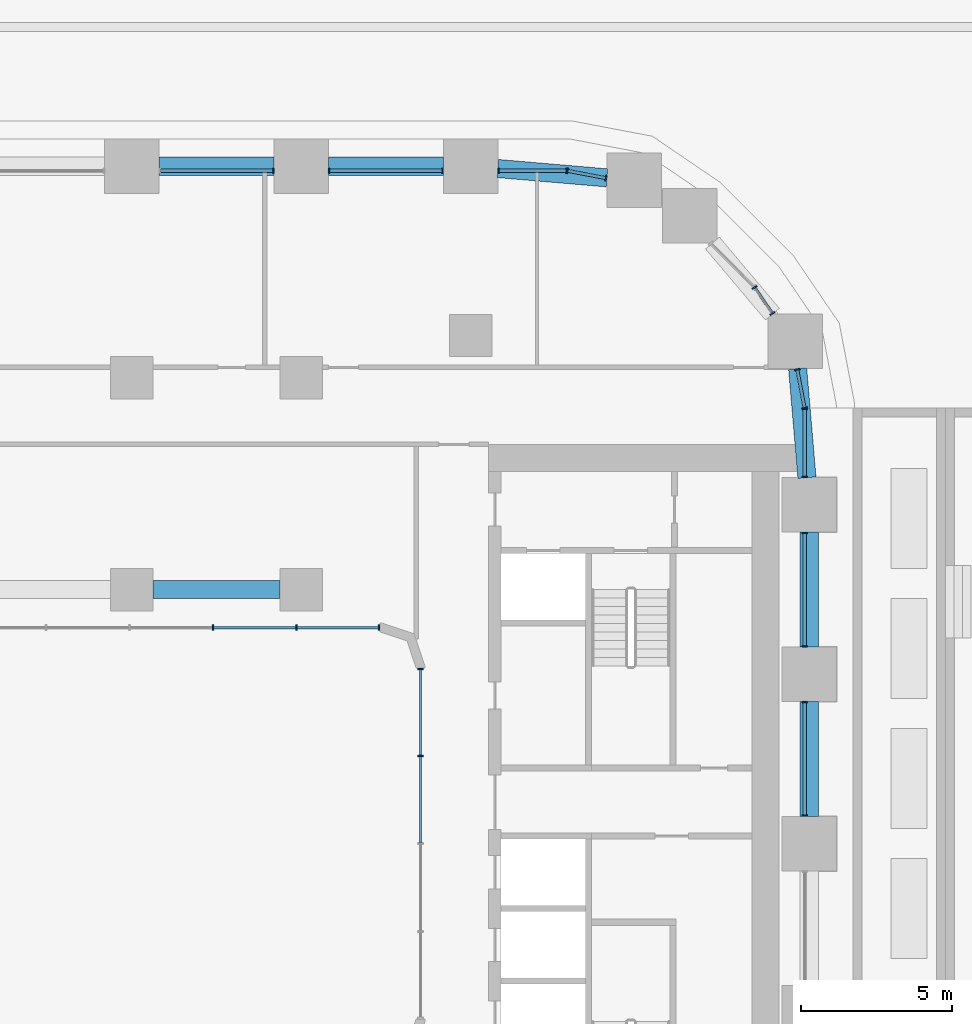
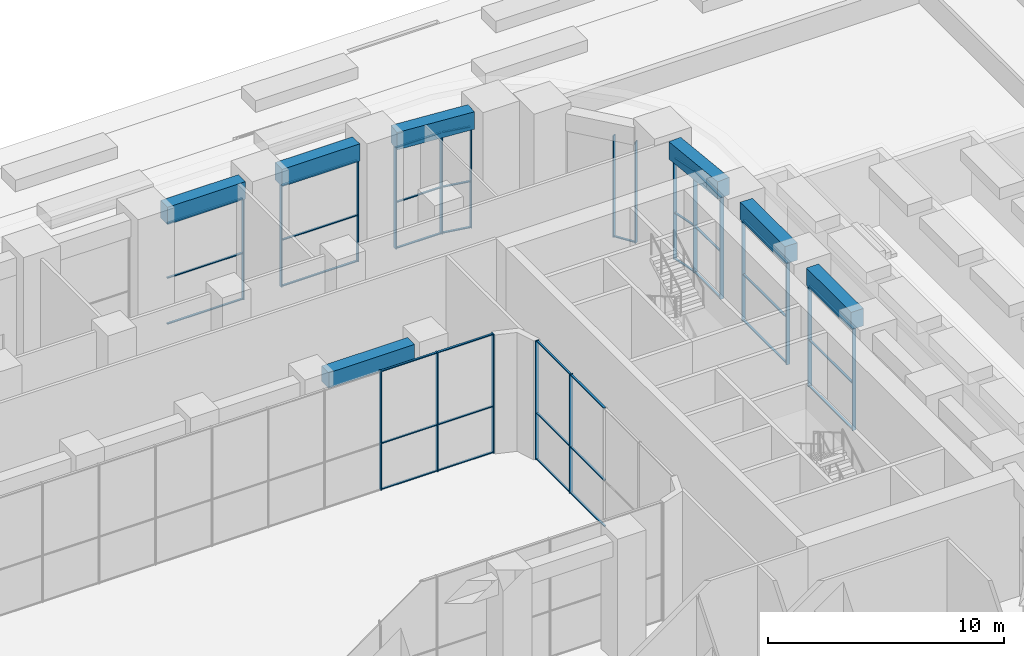
# One storey, part 19 of 51: 59 members, 7 beams, 11 elements without a shape of their own.
"""IFC4 building model written with IfcOpenShell, lengths in metres."""

from ifc_helpers import new_model, si_unit, direction, frame, origin, origin_2d, place, context, subcontext, project, spatial, rectangle, extrude, material, layer, layer_set, material_profile, profile_set, type_object, element, aggregate, save


model = new_model("IFC4")

# Units and contexts
model_context = context("Model", 3, precision=1e-05, world=origin(), true_north=direction((0.0, 1.0)))
body_context = subcontext(model_context, "Body", "Model", "MODEL_VIEW")
ifc_project = project(units=[si_unit("LENGTHUNIT", "METRE"), si_unit("AREAUNIT", "SQUARE_METRE"), si_unit("VOLUMEUNIT", "CUBIC_METRE"), si_unit("PLANEANGLEUNIT", "RADIAN"), si_unit("MASSUNIT", "GRAM", prefix="KILO")], contexts=[model_context])

# Site, building, storey
site_placement = place(None, origin())
site = spatial("IfcSite", under=ifc_project, at=site_placement, CompositionType="ELEMENT")
building_placement = place(site_placement, origin())
building = spatial("IfcBuilding", under=site, at=building_placement, Name="Kiln Ring Residences", CompositionType="ELEMENT")
storey_placement = place(building_placement, origin())
storey = spatial("IfcBuildingStorey", under=building, at=storey_placement, Name="L00", CompositionType="ELEMENT", Elevation=0.0)

# Curtain wall, members
ifc_material_1 = material(Name="Aluminium and glass", Category="aluminium")
ifc_layer = layer(ifc_material_1, 0.179931640625)
ifc_layer_set = layer_set([ifc_layer], Name="CW2 CURTAIN WALL")
curtain_wall_type = type_object("IfcCurtainWallType", Name="CW2 CURTAIN WALL", PredefinedType="NOTDEFINED", material=ifc_layer_set)
placement = place(storey_placement, origin())
curtain_wall_1 = element("IfcCurtainWall", 1, at=placement, inside=storey, type_object=curtain_wall_type, Name="Curtain wall CW2 L00", PredefinedType="NOTDEFINED")
ifc_material_2 = material(Name="Aluminium 6063-T6", Category="aluminium")
ifc_material_profile_1 = material_profile(ifc_material_2, rectangle(XDim=0.179931640625, YDim=0.050048828125, at=origin_2d()), Name="AL 180x50")
ifc_profile_set_1 = profile_set([ifc_material_profile_1], Name="Aluminium 6063-T6")
member_type_1 = type_object("IfcMemberType", Name="CW2 MULLION 180 x 50", PredefinedType="MULLION", material=ifc_profile_set_1)
member_1_placement = place(storey_placement, frame((27.85009765625, 0.925048828125, 0.0), z_axis=(0.0, 0.0, 1.0), x_axis=(-1.0, 0.0, 0.0)))
member_1 = element("IfcMember", 2, at=member_1_placement, type_object=member_type_1, Name="CW2 mullion 1", PredefinedType="MULLION", context=body_context, shape_type="SweptSolid", body=[
    extrude(rectangle(XDim=0.179931640625, YDim=0.050048828125, at=origin_2d()), origin(), (0.0, 0.0, 1.0), 5.25),
])
member_2_placement = place(storey_placement, frame((27.85009765625, 4.675048828125, 0.0), z_axis=(0.0, 0.0, 1.0), x_axis=(-1.0, 0.0, 0.0)))
member_2 = element("IfcMember", 3, at=member_2_placement, type_object=member_type_1, Name="CW2 mullion 2", PredefinedType="MULLION", context=body_context, shape_type="SweptSolid", body=[
    extrude(rectangle(XDim=0.179931640625, YDim=0.050048828125, at=origin_2d()), origin(), (0.0, 0.0, 1.0), 5.25),
])

curtain_wall_2 = element("IfcCurtainWall", 4, at=placement, inside=storey, type_object=curtain_wall_type, Name="Curtain wall CW2 L00", PredefinedType="NOTDEFINED")
member_3_placement = place(storey_placement, frame((27.85009765625, 6.52490234375, 0.0), z_axis=(0.0, 0.0, 1.0), x_axis=(-1.0, 0.0, 0.0)))
member_3 = element("IfcMember", 5, at=member_3_placement, type_object=member_type_1, Name="CW2 mullion 1", PredefinedType="MULLION", context=body_context, shape_type="SweptSolid", body=[
    extrude(rectangle(XDim=0.179931640625, YDim=0.050048828125, at=origin_2d()), origin(), (0.0, 0.0, 1.0), 5.25),
])
member_4_placement = place(storey_placement, frame((27.85009765625, 10.27490234375, 0.0), z_axis=(0.0, 0.0, 1.0), x_axis=(-1.0, 0.0, 0.0)))
member_4 = element("IfcMember", 6, at=member_4_placement, type_object=member_type_1, Name="CW2 mullion 2", PredefinedType="MULLION", context=body_context, shape_type="SweptSolid", body=[
    extrude(rectangle(XDim=0.179931640625, YDim=0.050048828125, at=origin_2d()), origin(), (0.0, 0.0, 1.0), 5.25),
])

curtain_wall_3 = element("IfcCurtainWall", 7, at=placement, inside=storey, type_object=curtain_wall_type, Name="Curtain wall CW2 L00", PredefinedType="NOTDEFINED")
member_5_placement = place(storey_placement, frame((27.85009765625, 12.125, 0.0), z_axis=(0.0, 0.0, 1.0), x_axis=(-1.0, 0.0, 0.0)))
member_5 = element("IfcMember", 8, at=member_5_placement, type_object=member_type_1, Name="CW2 mullion 1", PredefinedType="MULLION", context=body_context, shape_type="SweptSolid", body=[
    extrude(rectangle(XDim=0.179931640625, YDim=0.050048828125, at=origin_2d()), origin(), (0.0, 0.0, 1.0), 5.25),
])
member_6_placement = place(storey_placement, frame((27.85009765625, 14.375, 0.0), z_axis=(0.0, 0.0, 1.0), x_axis=(-1.0, 0.0, 0.0)))
member_6 = element("IfcMember", 9, at=member_6_placement, type_object=member_type_1, Name="CW2 mullion 2", PredefinedType="MULLION", context=body_context, shape_type="SweptSolid", body=[
    extrude(rectangle(XDim=0.179931640625, YDim=0.050048828125, at=origin_2d()), origin(), (0.0, 0.0, 1.0), 5.25),
])

curtain_wall_4 = element("IfcCurtainWall", 10, at=placement, inside=storey, type_object=curtain_wall_type, Name="Curtain wall CW2 L00", PredefinedType="NOTDEFINED")
member_7_placement = place(storey_placement, frame((27.847900390625, 14.396484375, 0.0), z_axis=(0.0, 0.0, 1.0), x_axis=(-0.9822902578, -0.187365550279, 0.0)))
member_7 = element("IfcMember", 11, at=member_7_placement, type_object=member_type_1, Name="CW2 mullion 1", PredefinedType="MULLION", context=body_context, shape_type="SweptSolid", body=[
    extrude(rectangle(XDim=0.179931640625, YDim=0.050048828125, at=origin_2d()), origin(), (0.0, 0.0, 1.0), 5.25),
])
member_8_placement = place(storey_placement, frame((27.603271484375, 15.679443359375, 0.0), z_axis=(0.0, 0.0, 1.0), x_axis=(-0.9822902578, -0.187365550279, 0.0)))
member_8 = element("IfcMember", 12, at=member_8_placement, type_object=member_type_1, Name="CW2 mullion 2", PredefinedType="MULLION", context=body_context, shape_type="SweptSolid", body=[
    extrude(rectangle(XDim=0.179931640625, YDim=0.050048828125, at=origin_2d()), origin(), (0.0, 0.0, 1.0), 5.25),
])

curtain_wall_5 = element("IfcCurtainWall", 13, at=placement, inside=storey, type_object=curtain_wall_type, Name="Curtain wall CW2 L00", PredefinedType="NOTDEFINED")
member_9_placement = place(storey_placement, frame((26.779296875, 17.529296875, 0.0), z_axis=(0.0, 0.0, 1.0), x_axis=(-0.827071553488, -0.562096651308, 0.0)))
member_9 = element("IfcMember", 14, at=member_9_placement, type_object=member_type_1, Name="CW2 mullion 1", PredefinedType="MULLION", context=body_context, shape_type="SweptSolid", body=[
    extrude(rectangle(XDim=0.179931640625, YDim=0.050048828125, at=origin_2d()), origin(), (0.0, 0.0, 1.0), 5.25),
])
member_10_placement = place(storey_placement, frame((26.19287109375, 18.39208984375, 0.0), z_axis=(0.0, 0.0, 1.0), x_axis=(-0.827071553488, -0.562096651308, 0.0)))
member_10 = element("IfcMember", 15, at=member_10_placement, type_object=member_type_1, Name="CW2 mullion 2", PredefinedType="MULLION", context=body_context, shape_type="SweptSolid", body=[
    extrude(rectangle(XDim=0.179931640625, YDim=0.050048828125, at=origin_2d()), origin(), (0.0, 0.0, 1.0), 5.25),
])

curtain_wall_6 = element("IfcCurtainWall", 16, at=placement, inside=storey, type_object=curtain_wall_type, Name="Curtain wall CW2 L00", PredefinedType="NOTDEFINED")
member_11_placement = place(storey_placement, frame((21.279541015625, 22.003173828125, 0.0), z_axis=(0.0, 0.0, 1.0), x_axis=(-0.187365550279, -0.9822902578, 0.0)))
member_11 = element("IfcMember", 17, at=member_11_placement, type_object=member_type_1, Name="CW2 mullion 1", PredefinedType="MULLION", context=body_context, shape_type="SweptSolid", body=[
    extrude(rectangle(XDim=0.179931640625, YDim=0.050048828125, at=origin_2d()), origin(), (0.0, 0.0, 1.0), 5.25),
])
member_12_placement = place(storey_placement, frame((19.996337890625, 22.248046875, 0.0), z_axis=(0.0, 0.0, 1.0), x_axis=(-0.187365550279, -0.9822902578, 0.0)))
member_12 = element("IfcMember", 18, at=member_12_placement, type_object=member_type_1, Name="CW2 mullion 2", PredefinedType="MULLION", context=body_context, shape_type="SweptSolid", body=[
    extrude(rectangle(XDim=0.179931640625, YDim=0.050048828125, at=origin_2d()), origin(), (0.0, 0.0, 1.0), 5.25),
])

curtain_wall_7 = element("IfcCurtainWall", 19, at=placement, inside=storey, type_object=curtain_wall_type, Name="Curtain wall CW2 L00", PredefinedType="NOTDEFINED")
member_13_placement = place(storey_placement, frame((19.97509765625, 22.25, 0.0), z_axis=(0.0, 0.0, 1.0), x_axis=(0.0, -1.0, 0.0)))
member_13 = element("IfcMember", 20, at=member_13_placement, type_object=member_type_1, Name="CW2 mullion 1", PredefinedType="MULLION", context=body_context, shape_type="SweptSolid", body=[
    extrude(rectangle(XDim=0.179931640625, YDim=0.050048828125, at=origin_2d()), origin(), (0.0, 0.0, 1.0), 5.25),
])
member_14_placement = place(storey_placement, frame((17.72509765625, 22.25, 0.0), z_axis=(0.0, 0.0, 1.0), x_axis=(0.0, -1.0, 0.0)))
member_14 = element("IfcMember", 21, at=member_14_placement, type_object=member_type_1, Name="CW2 mullion 2", PredefinedType="MULLION", context=body_context, shape_type="SweptSolid", body=[
    extrude(rectangle(XDim=0.179931640625, YDim=0.050048828125, at=origin_2d()), origin(), (0.0, 0.0, 1.0), 5.25),
])

curtain_wall_8 = element("IfcCurtainWall", 22, at=placement, inside=storey, type_object=curtain_wall_type, Name="Curtain wall CW2 L00", PredefinedType="NOTDEFINED")
member_15_placement = place(storey_placement, frame((15.875, 22.25, 0.0), z_axis=(0.0, 0.0, 1.0), x_axis=(0.0, -1.0, 0.0)))
member_15 = element("IfcMember", 23, at=member_15_placement, type_object=member_type_1, Name="CW2 mullion 1", PredefinedType="MULLION", context=body_context, shape_type="SweptSolid", body=[
    extrude(rectangle(XDim=0.179931640625, YDim=0.050048828125, at=origin_2d()), origin(), (0.0, 0.0, 1.0), 5.25),
])
member_16_placement = place(storey_placement, frame((12.125, 22.25, 0.0), z_axis=(0.0, 0.0, 1.0), x_axis=(0.0, -1.0, 0.0)))
member_16 = element("IfcMember", 24, at=member_16_placement, type_object=member_type_1, Name="CW2 mullion 2", PredefinedType="MULLION", context=body_context, shape_type="SweptSolid", body=[
    extrude(rectangle(XDim=0.179931640625, YDim=0.050048828125, at=origin_2d()), origin(), (0.0, 0.0, 1.0), 5.25),
])

# Curtain wall, member
curtain_wall_9 = element("IfcCurtainWall", 25, at=placement, inside=storey, type_object=curtain_wall_type, Name="Curtain wall CW2 L00", PredefinedType="NOTDEFINED")
member_17_placement = place(storey_placement, frame((10.27490234375, 22.25, 0.0), z_axis=(0.0, 0.0, 1.0), x_axis=(0.0, -1.0, 0.0)))
member_17 = element("IfcMember", 26, at=member_17_placement, type_object=member_type_1, Name="CW2 mullion 1", PredefinedType="MULLION", context=body_context, shape_type="SweptSolid", body=[
    extrude(rectangle(XDim=0.179931640625, YDim=0.050048828125, at=origin_2d()), origin(), (0.0, 0.0, 1.0), 5.25),
])

# Curtain wall, members
curtain_wall_10 = element("IfcCurtainWall", 27, at=placement, inside=storey, type_object=curtain_wall_type, Name="Curtain wall CW2 L00", PredefinedType="NOTDEFINED")
member_18_placement = place(storey_placement, frame((8.280029296875, 7.14990234375, 0.0), z_axis=(0.0, 0.0, 1.0), x_axis=(0.0, 1.0, 0.0)))
member_18 = element("IfcMember", 28, at=member_18_placement, type_object=member_type_1, Name="CW2 mullion 9", PredefinedType="MULLION", context=body_context, shape_type="SweptSolid", body=[
    extrude(rectangle(XDim=0.179931640625, YDim=0.050048828125, at=origin_2d()), origin(), (0.0, 0.0, 1.0), 6.14990234375),
])
member_19_placement = place(storey_placement, frame((11.0400390625, 7.14990234375, 0.0), z_axis=(0.0, 0.0, 1.0), x_axis=(0.0, 1.0, 0.0)))
member_19 = element("IfcMember", 29, at=member_19_placement, type_object=member_type_1, Name="CW2 mullion 10", PredefinedType="MULLION", context=body_context, shape_type="SweptSolid", body=[
    extrude(rectangle(XDim=0.179931640625, YDim=0.050048828125, at=origin_2d()), origin(), (0.0, 0.0, 1.0), 6.14990234375),
])
member_20_placement = place(storey_placement, frame((13.77490234375, 7.14990234375, 0.0), z_axis=(0.0, 0.0, 1.0), x_axis=(0.0, 1.0, 0.0)))
member_20 = element("IfcMember", 30, at=member_20_placement, type_object=member_type_1, Name="CW2 mullion 11", PredefinedType="MULLION", context=body_context, shape_type="SweptSolid", body=[
    extrude(rectangle(XDim=0.179931640625, YDim=0.050048828125, at=origin_2d()), origin(), (0.0, 0.0, 1.0), 6.14990234375),
])

curtain_wall_11 = element("IfcCurtainWall", 31, at=placement, inside=storey, type_object=curtain_wall_type, Name="Curtain wall CW2 L00", PredefinedType="NOTDEFINED")
member_21_placement = place(storey_placement, frame((15.14990234375, 5.77490234375, 0.0), z_axis=(0.0, 0.0, 1.0), x_axis=(1.0, 0.0, 0.0)))
member_21 = element("IfcMember", 32, at=member_21_placement, type_object=member_type_1, Name="CW2 mullion 1", PredefinedType="MULLION", context=body_context, shape_type="SweptSolid", body=[
    extrude(rectangle(XDim=0.179931640625, YDim=0.050048828125, at=origin_2d()), origin(), (0.0, 0.0, 1.0), 6.14990234375),
])
member_22_placement = place(storey_placement, frame((15.14990234375, 2.89990234375, 0.0), z_axis=(0.0, 0.0, 1.0), x_axis=(1.0, 0.0, 0.0)))
member_22 = element("IfcMember", 33, at=member_22_placement, type_object=member_type_1, Name="CW2 mullion 2", PredefinedType="MULLION", context=body_context, shape_type="SweptSolid", body=[
    extrude(rectangle(XDim=0.179931640625, YDim=0.050048828125, at=origin_2d()), origin(), (0.0, 0.0, 1.0), 6.14990234375),
])

# Member
ifc_material_3 = material(Name="Aluminium 6063-T6", Category="aluminium")
ifc_material_profile_2 = material_profile(ifc_material_3, rectangle(XDim=0.10009765625, YDim=0.050048828125, at=origin_2d()), Name="AL 100x50")
ifc_profile_set_2 = profile_set([ifc_material_profile_2], Name="Aluminium 6063-T6")
member_type_2 = type_object("IfcMemberType", Name="CW2 TRANSOM 100 x 50", PredefinedType="USERDEFINED", material=ifc_profile_set_2)
member_23_placement = place(storey_placement, frame((27.85009765625, 0.949951171875, 0.02490234375), z_axis=(0.0, 1.0, 0.0), x_axis=(-1.0, 0.0, 0.0)))
member_23 = element("IfcMember", 34, at=member_23_placement, type_object=member_type_2, Name="CW2 transom 1.1", ObjectType="TRANSOM", PredefinedType="USERDEFINED", context=body_context, shape_type="SweptSolid", body=[
    extrude(rectangle(XDim=0.10009765625, YDim=0.050048828125, at=origin_2d()), origin(), (0.0, 0.0, 1.0), 3.699951171875),
])

member_24_placement = place(storey_placement, frame((27.85009765625, 0.949951171875, 2.39990234375), z_axis=(0.0, 1.0, 0.0), x_axis=(-1.0, 0.0, 0.0)))
member_24 = element("IfcMember", 35, at=member_24_placement, type_object=member_type_2, Name="CW2 transom 1.2", ObjectType="TRANSOM", PredefinedType="USERDEFINED", context=body_context, shape_type="SweptSolid", body=[
    extrude(rectangle(XDim=0.10009765625, YDim=0.050048828125, at=origin_2d()), origin(), (0.0, 0.0, 1.0), 3.699951171875),
])

member_25_placement = place(storey_placement, frame((27.85009765625, 0.949951171875, 5.22509765625), z_axis=(0.0, 1.0, 0.0), x_axis=(-1.0, 0.0, 0.0)))
member_25 = element("IfcMember", 36, at=member_25_placement, type_object=member_type_2, Name="CW2 transom 1.3", ObjectType="TRANSOM", PredefinedType="USERDEFINED", context=body_context, shape_type="SweptSolid", body=[
    extrude(rectangle(XDim=0.10009765625, YDim=0.050048828125, at=origin_2d()), origin(), (0.0, 0.0, 1.0), 3.699951171875),
])

aggregate(curtain_wall_1, [member_1, member_2, member_23, member_24, member_25])

member_26_placement = place(storey_placement, frame((27.85009765625, 6.550048828125, 0.02490234375), z_axis=(0.0, 1.0, 0.0), x_axis=(-1.0, 0.0, 0.0)))
member_26 = element("IfcMember", 37, at=member_26_placement, type_object=member_type_2, Name="CW2 transom 1.1", ObjectType="TRANSOM", PredefinedType="USERDEFINED", context=body_context, shape_type="SweptSolid", body=[
    extrude(rectangle(XDim=0.10009765625, YDim=0.050048828125, at=origin_2d()), origin(), (0.0, 0.0, 1.0), 3.699951171875),
])

member_27_placement = place(storey_placement, frame((27.85009765625, 6.550048828125, 2.39990234375), z_axis=(0.0, 1.0, 0.0), x_axis=(-1.0, 0.0, 0.0)))
member_27 = element("IfcMember", 38, at=member_27_placement, type_object=member_type_2, Name="CW2 transom 1.2", ObjectType="TRANSOM", PredefinedType="USERDEFINED", context=body_context, shape_type="SweptSolid", body=[
    extrude(rectangle(XDim=0.10009765625, YDim=0.050048828125, at=origin_2d()), origin(), (0.0, 0.0, 1.0), 3.699951171875),
])

member_28_placement = place(storey_placement, frame((27.85009765625, 6.550048828125, 5.22509765625), z_axis=(0.0, 1.0, 0.0), x_axis=(-1.0, 0.0, 0.0)))
member_28 = element("IfcMember", 39, at=member_28_placement, type_object=member_type_2, Name="CW2 transom 1.3", ObjectType="TRANSOM", PredefinedType="USERDEFINED", context=body_context, shape_type="SweptSolid", body=[
    extrude(rectangle(XDim=0.10009765625, YDim=0.050048828125, at=origin_2d()), origin(), (0.0, 0.0, 1.0), 3.699951171875),
])

aggregate(curtain_wall_2, [member_3, member_4, member_26, member_27, member_28])

member_29_placement = place(storey_placement, frame((27.85009765625, 12.14990234375, 0.02490234375), z_axis=(0.0, 1.0, 0.0), x_axis=(-1.0, 0.0, 0.0)))
member_29 = element("IfcMember", 40, at=member_29_placement, type_object=member_type_2, Name="CW2 transom 1.1", ObjectType="TRANSOM", PredefinedType="USERDEFINED", context=body_context, shape_type="SweptSolid", body=[
    extrude(rectangle(XDim=0.10009765625, YDim=0.050048828125, at=origin_2d()), origin(), (0.0, 0.0, 1.0), 2.2001953125),
])

member_30_placement = place(storey_placement, frame((27.85009765625, 12.14990234375, 2.39990234375), z_axis=(0.0, 1.0, 0.0), x_axis=(-1.0, 0.0, 0.0)))
member_30 = element("IfcMember", 41, at=member_30_placement, type_object=member_type_2, Name="CW2 transom 1.2", ObjectType="TRANSOM", PredefinedType="USERDEFINED", context=body_context, shape_type="SweptSolid", body=[
    extrude(rectangle(XDim=0.10009765625, YDim=0.050048828125, at=origin_2d()), origin(), (0.0, 0.0, 1.0), 2.2001953125),
])

member_31_placement = place(storey_placement, frame((27.85009765625, 12.14990234375, 5.22509765625), z_axis=(0.0, 1.0, 0.0), x_axis=(-1.0, 0.0, 0.0)))
member_31 = element("IfcMember", 42, at=member_31_placement, type_object=member_type_2, Name="CW2 transom 1.3", ObjectType="TRANSOM", PredefinedType="USERDEFINED", context=body_context, shape_type="SweptSolid", body=[
    extrude(rectangle(XDim=0.10009765625, YDim=0.050048828125, at=origin_2d()), origin(), (0.0, 0.0, 1.0), 2.2001953125),
])

aggregate(curtain_wall_3, [member_5, member_6, member_29, member_30, member_31])

member_32_placement = place(storey_placement, frame((27.84326171875, 14.4208984375, 0.02490234375), z_axis=(-0.18736217437, 0.982290901727, 0.0), x_axis=(-0.982290901727, -0.18736217437, 0.0)))
member_32 = element("IfcMember", 43, at=member_32_placement, type_object=member_type_2, Name="CW2 transom 1.1", ObjectType="TRANSOM", PredefinedType="USERDEFINED", context=body_context, shape_type="SweptSolid", body=[
    extrude(rectangle(XDim=0.10009765625, YDim=0.050048828125, at=origin_2d()), origin(), (0.0, 0.0, 1.0), 1.256103515625),
])

member_33_placement = place(storey_placement, frame((27.84326171875, 14.4208984375, 2.39990234375), z_axis=(-0.18736217437, 0.982290901727, 0.0), x_axis=(-0.982290901727, -0.18736217437, 0.0)))
member_33 = element("IfcMember", 44, at=member_33_placement, type_object=member_type_2, Name="CW2 transom 1.2", ObjectType="TRANSOM", PredefinedType="USERDEFINED", context=body_context, shape_type="SweptSolid", body=[
    extrude(rectangle(XDim=0.10009765625, YDim=0.050048828125, at=origin_2d()), origin(), (0.0, 0.0, 1.0), 1.256103515625),
])

member_34_placement = place(storey_placement, frame((27.84326171875, 14.4208984375, 5.22509765625), z_axis=(-0.18736217437, 0.982290901727, 0.0), x_axis=(-0.982290901727, -0.18736217437, 0.0)))
member_34 = element("IfcMember", 45, at=member_34_placement, type_object=member_type_2, Name="CW2 transom 1.3", ObjectType="TRANSOM", PredefinedType="USERDEFINED", context=body_context, shape_type="SweptSolid", body=[
    extrude(rectangle(XDim=0.10009765625, YDim=0.050048828125, at=origin_2d()), origin(), (0.0, 0.0, 1.0), 1.256103515625),
])

aggregate(curtain_wall_4, [member_7, member_8, member_32, member_33, member_34])

member_35_placement = place(storey_placement, frame((26.76513671875, 17.550048828125, 0.02490234375), z_axis=(-0.562054442388, 0.827100238055, 0.0), x_axis=(-0.827100238055, -0.562054442388, 0.0)))
member_35 = element("IfcMember", 46, at=member_35_placement, type_object=member_type_2, Name="CW2 transom 1.1", ObjectType="TRANSOM", PredefinedType="USERDEFINED", context=body_context, shape_type="SweptSolid", body=[
    extrude(rectangle(XDim=0.10009765625, YDim=0.050048828125, at=origin_2d()), origin(), (0.0, 0.0, 1.0), 0.992919921875),
])

aggregate(curtain_wall_5, [member_9, member_10, member_35])

member_36_placement = place(storey_placement, frame((21.2548828125, 22.0078125, 0.02490234375), z_axis=(-0.982255114472, 0.18754970033, 0.0), x_axis=(-0.18754970033, -0.982255114472, 0.0)))
member_36 = element("IfcMember", 47, at=member_36_placement, type_object=member_type_2, Name="CW2 transom 1.1", ObjectType="TRANSOM", PredefinedType="USERDEFINED", context=body_context, shape_type="SweptSolid", body=[
    extrude(rectangle(XDim=0.10009765625, YDim=0.050048828125, at=origin_2d()), origin(), (0.0, 0.0, 1.0), 1.256103515625),
])

member_37_placement = place(storey_placement, frame((21.2548828125, 22.0078125, 2.39990234375), z_axis=(-0.982255114472, 0.18754970033, 0.0), x_axis=(-0.18754970033, -0.982255114472, 0.0)))
member_37 = element("IfcMember", 48, at=member_37_placement, type_object=member_type_2, Name="CW2 transom 1.2", ObjectType="TRANSOM", PredefinedType="USERDEFINED", context=body_context, shape_type="SweptSolid", body=[
    extrude(rectangle(XDim=0.10009765625, YDim=0.050048828125, at=origin_2d()), origin(), (0.0, 0.0, 1.0), 1.256103515625),
])

member_38_placement = place(storey_placement, frame((21.2548828125, 22.0078125, 5.22509765625), z_axis=(-0.982255114472, 0.18754970033, 0.0), x_axis=(-0.18754970033, -0.982255114472, 0.0)))
member_38 = element("IfcMember", 49, at=member_38_placement, type_object=member_type_2, Name="CW2 transom 1.3", ObjectType="TRANSOM", PredefinedType="USERDEFINED", context=body_context, shape_type="SweptSolid", body=[
    extrude(rectangle(XDim=0.10009765625, YDim=0.050048828125, at=origin_2d()), origin(), (0.0, 0.0, 1.0), 1.256103515625),
])

aggregate(curtain_wall_6, [member_11, member_12, member_36, member_37, member_38])

member_39_placement = place(storey_placement, frame((19.949951171875, 22.25, 0.02490234375), z_axis=(-1.0, 0.0, 0.0), x_axis=(0.0, -1.0, 0.0)))
member_39 = element("IfcMember", 50, at=member_39_placement, type_object=member_type_2, Name="CW2 transom 1.1", ObjectType="TRANSOM", PredefinedType="USERDEFINED", context=body_context, shape_type="SweptSolid", body=[
    extrude(rectangle(XDim=0.10009765625, YDim=0.050048828125, at=origin_2d()), origin(), (0.0, 0.0, 1.0), 2.199951171875),
])

member_40_placement = place(storey_placement, frame((19.949951171875, 22.25, 2.39990234375), z_axis=(-1.0, 0.0, 0.0), x_axis=(0.0, -1.0, 0.0)))
member_40 = element("IfcMember", 51, at=member_40_placement, type_object=member_type_2, Name="CW2 transom 1.2", ObjectType="TRANSOM", PredefinedType="USERDEFINED", context=body_context, shape_type="SweptSolid", body=[
    extrude(rectangle(XDim=0.10009765625, YDim=0.050048828125, at=origin_2d()), origin(), (0.0, 0.0, 1.0), 2.199951171875),
])

member_41_placement = place(storey_placement, frame((19.949951171875, 22.25, 5.22509765625), z_axis=(-1.0, 0.0, 0.0), x_axis=(0.0, -1.0, 0.0)))
member_41 = element("IfcMember", 52, at=member_41_placement, type_object=member_type_2, Name="CW2 transom 1.3", ObjectType="TRANSOM", PredefinedType="USERDEFINED", context=body_context, shape_type="SweptSolid", body=[
    extrude(rectangle(XDim=0.10009765625, YDim=0.050048828125, at=origin_2d()), origin(), (0.0, 0.0, 1.0), 2.199951171875),
])

aggregate(curtain_wall_7, [member_13, member_14, member_39, member_40, member_41])

member_42_placement = place(storey_placement, frame((15.85009765625, 22.25, 0.02490234375), z_axis=(-1.0, 0.0, 0.0), x_axis=(0.0, -1.0, 0.0)))
member_42 = element("IfcMember", 53, at=member_42_placement, type_object=member_type_2, Name="CW2 transom 1.1", ObjectType="TRANSOM", PredefinedType="USERDEFINED", context=body_context, shape_type="SweptSolid", body=[
    extrude(rectangle(XDim=0.10009765625, YDim=0.050048828125, at=origin_2d()), origin(), (0.0, 0.0, 1.0), 3.7001953125),
])

member_43_placement = place(storey_placement, frame((15.85009765625, 22.25, 2.39990234375), z_axis=(-1.0, 0.0, 0.0), x_axis=(0.0, -1.0, 0.0)))
member_43 = element("IfcMember", 54, at=member_43_placement, type_object=member_type_2, Name="CW2 transom 1.2", ObjectType="TRANSOM", PredefinedType="USERDEFINED", context=body_context, shape_type="SweptSolid", body=[
    extrude(rectangle(XDim=0.10009765625, YDim=0.050048828125, at=origin_2d()), origin(), (0.0, 0.0, 1.0), 3.7001953125),
])

member_44_placement = place(storey_placement, frame((15.85009765625, 22.25, 5.22509765625), z_axis=(-1.0, 0.0, 0.0), x_axis=(0.0, -1.0, 0.0)))
member_44 = element("IfcMember", 55, at=member_44_placement, type_object=member_type_2, Name="CW2 transom 1.3", ObjectType="TRANSOM", PredefinedType="USERDEFINED", context=body_context, shape_type="SweptSolid", body=[
    extrude(rectangle(XDim=0.10009765625, YDim=0.050048828125, at=origin_2d()), origin(), (0.0, 0.0, 1.0), 3.7001953125),
])

aggregate(curtain_wall_8, [member_15, member_16, member_42, member_43, member_44])

member_45_placement = place(storey_placement, frame((10.25, 22.25, 0.02490234375), z_axis=(-1.0, 0.0, 0.0), x_axis=(0.0, -1.0, 0.0)))
member_45 = element("IfcMember", 56, at=member_45_placement, type_object=member_type_2, Name="CW2 transom 1.1", ObjectType="TRANSOM", PredefinedType="USERDEFINED", context=body_context, shape_type="SweptSolid", body=[
    extrude(rectangle(XDim=0.10009765625, YDim=0.050048828125, at=origin_2d()), origin(), (0.0, 0.0, 1.0), 3.699951171875),
])

member_46_placement = place(storey_placement, frame((10.25, 22.25, 2.39990234375), z_axis=(-1.0, 0.0, 0.0), x_axis=(0.0, -1.0, 0.0)))
member_46 = element("IfcMember", 57, at=member_46_placement, type_object=member_type_2, Name="CW2 transom 1.2", ObjectType="TRANSOM", PredefinedType="USERDEFINED", context=body_context, shape_type="SweptSolid", body=[
    extrude(rectangle(XDim=0.10009765625, YDim=0.050048828125, at=origin_2d()), origin(), (0.0, 0.0, 1.0), 3.699951171875),
])

member_47_placement = place(storey_placement, frame((10.25, 22.25, 5.22509765625), z_axis=(-1.0, 0.0, 0.0), x_axis=(0.0, -1.0, 0.0)))
member_47 = element("IfcMember", 58, at=member_47_placement, type_object=member_type_2, Name="CW2 transom 1.3", ObjectType="TRANSOM", PredefinedType="USERDEFINED", context=body_context, shape_type="SweptSolid", body=[
    extrude(rectangle(XDim=0.10009765625, YDim=0.050048828125, at=origin_2d()), origin(), (0.0, 0.0, 1.0), 3.699951171875),
])

aggregate(curtain_wall_9, [member_17, member_45, member_46, member_47])

member_48_placement = place(storey_placement, frame((8.304931640625, 7.14990234375, 0.02490234375), z_axis=(1.0, 0.0, 0.0), x_axis=(0.0, 1.0, 0.0)))
member_48 = element("IfcMember", 59, at=member_48_placement, type_object=member_type_2, Name="CW2 transom 9.1", ObjectType="TRANSOM", PredefinedType="USERDEFINED", context=body_context, shape_type="SweptSolid", body=[
    extrude(rectangle(XDim=0.10009765625, YDim=0.050048828125, at=origin_2d()), origin(), (0.0, 0.0, 1.0), 2.7099609375),
])

member_49_placement = place(storey_placement, frame((8.304931640625, 7.14990234375, 2.39990234375), z_axis=(1.0, 0.0, 0.0), x_axis=(0.0, 1.0, 0.0)))
member_49 = element("IfcMember", 60, at=member_49_placement, type_object=member_type_2, Name="CW2 transom 9.2", ObjectType="TRANSOM", PredefinedType="USERDEFINED", context=body_context, shape_type="SweptSolid", body=[
    extrude(rectangle(XDim=0.10009765625, YDim=0.050048828125, at=origin_2d()), origin(), (0.0, 0.0, 1.0), 2.7099609375),
])

member_50_placement = place(storey_placement, frame((8.304931640625, 7.14990234375, 6.125), z_axis=(1.0, 0.0, 0.0), x_axis=(0.0, 1.0, 0.0)))
member_50 = element("IfcMember", 61, at=member_50_placement, type_object=member_type_2, Name="CW2 transom 9.3", ObjectType="TRANSOM", PredefinedType="USERDEFINED", context=body_context, shape_type="SweptSolid", body=[
    extrude(rectangle(XDim=0.10009765625, YDim=0.050048828125, at=origin_2d()), origin(), (0.0, 0.0, 1.0), 2.7099609375),
])

member_51_placement = place(storey_placement, frame((11.06494140625, 7.14990234375, 0.02490234375), z_axis=(1.0, 0.0, 0.0), x_axis=(0.0, 1.0, 0.0)))
member_51 = element("IfcMember", 62, at=member_51_placement, type_object=member_type_2, Name="CW2 transom 10.1", ObjectType="TRANSOM", PredefinedType="USERDEFINED", context=body_context, shape_type="SweptSolid", body=[
    extrude(rectangle(XDim=0.10009765625, YDim=0.050048828125, at=origin_2d()), origin(), (0.0, 0.0, 1.0), 2.68505859375),
])

member_52_placement = place(storey_placement, frame((11.06494140625, 7.14990234375, 2.39990234375), z_axis=(1.0, 0.0, 0.0), x_axis=(0.0, 1.0, 0.0)))
member_52 = element("IfcMember", 63, at=member_52_placement, type_object=member_type_2, Name="CW2 transom 10.2", ObjectType="TRANSOM", PredefinedType="USERDEFINED", context=body_context, shape_type="SweptSolid", body=[
    extrude(rectangle(XDim=0.10009765625, YDim=0.050048828125, at=origin_2d()), origin(), (0.0, 0.0, 1.0), 2.68505859375),
])

member_53_placement = place(storey_placement, frame((11.06494140625, 7.14990234375, 6.125), z_axis=(1.0, 0.0, 0.0), x_axis=(0.0, 1.0, 0.0)))
member_53 = element("IfcMember", 64, at=member_53_placement, type_object=member_type_2, Name="CW2 transom 10.3", ObjectType="TRANSOM", PredefinedType="USERDEFINED", context=body_context, shape_type="SweptSolid", body=[
    extrude(rectangle(XDim=0.10009765625, YDim=0.050048828125, at=origin_2d()), origin(), (0.0, 0.0, 1.0), 2.68505859375),
])

aggregate(curtain_wall_10, [member_18, member_19, member_20, member_48, member_49, member_50, member_51, member_52, member_53])

member_54_placement = place(storey_placement, frame((15.14990234375, 5.75, 0.02490234375), z_axis=(0.0, -1.0, 0.0), x_axis=(1.0, 0.0, 0.0)))
member_54 = element("IfcMember", 65, at=member_54_placement, type_object=member_type_2, Name="CW2 transom 1.1", ObjectType="TRANSOM", PredefinedType="USERDEFINED", context=body_context, shape_type="SweptSolid", body=[
    extrude(rectangle(XDim=0.10009765625, YDim=0.050048828125, at=origin_2d()), origin(), (0.0, 0.0, 1.0), 2.824951171875),
])

member_55_placement = place(storey_placement, frame((15.14990234375, 5.75, 2.39990234375), z_axis=(0.0, -1.0, 0.0), x_axis=(1.0, 0.0, 0.0)))
member_55 = element("IfcMember", 66, at=member_55_placement, type_object=member_type_2, Name="CW2 transom 1.2", ObjectType="TRANSOM", PredefinedType="USERDEFINED", context=body_context, shape_type="SweptSolid", body=[
    extrude(rectangle(XDim=0.10009765625, YDim=0.050048828125, at=origin_2d()), origin(), (0.0, 0.0, 1.0), 2.824951171875),
])

member_56_placement = place(storey_placement, frame((15.14990234375, 5.75, 6.125), z_axis=(0.0, -1.0, 0.0), x_axis=(1.0, 0.0, 0.0)))
member_56 = element("IfcMember", 67, at=member_56_placement, type_object=member_type_2, Name="CW2 transom 1.3", ObjectType="TRANSOM", PredefinedType="USERDEFINED", context=body_context, shape_type="SweptSolid", body=[
    extrude(rectangle(XDim=0.10009765625, YDim=0.050048828125, at=origin_2d()), origin(), (0.0, 0.0, 1.0), 2.824951171875),
])

member_57_placement = place(storey_placement, frame((15.14990234375, 2.875, 0.02490234375), z_axis=(0.0, -1.0, 0.0), x_axis=(1.0, 0.0, 0.0)))
member_57 = element("IfcMember", 68, at=member_57_placement, type_object=member_type_2, Name="CW2 transom 2.1", ObjectType="TRANSOM", PredefinedType="USERDEFINED", context=body_context, shape_type="SweptSolid", body=[
    extrude(rectangle(XDim=0.10009765625, YDim=0.050048828125, at=origin_2d()), origin(), (0.0, 0.0, 1.0), 2.85009765625),
])

member_58_placement = place(storey_placement, frame((15.14990234375, 2.875, 2.39990234375), z_axis=(0.0, -1.0, 0.0), x_axis=(1.0, 0.0, 0.0)))
member_58 = element("IfcMember", 69, at=member_58_placement, type_object=member_type_2, Name="CW2 transom 2.2", ObjectType="TRANSOM", PredefinedType="USERDEFINED", context=body_context, shape_type="SweptSolid", body=[
    extrude(rectangle(XDim=0.10009765625, YDim=0.050048828125, at=origin_2d()), origin(), (0.0, 0.0, 1.0), 2.85009765625),
])

member_59_placement = place(storey_placement, frame((15.14990234375, 2.875, 6.125), z_axis=(0.0, -1.0, 0.0), x_axis=(1.0, 0.0, 0.0)))
member_59 = element("IfcMember", 70, at=member_59_placement, type_object=member_type_2, Name="CW2 transom 2.3", ObjectType="TRANSOM", PredefinedType="USERDEFINED", context=body_context, shape_type="SweptSolid", body=[
    extrude(rectangle(XDim=0.10009765625, YDim=0.050048828125, at=origin_2d()), origin(), (0.0, 0.0, 1.0), 2.85009765625),
])

aggregate(curtain_wall_11, [member_21, member_22, member_54, member_55, member_56, member_57, member_58, member_59])

# Beams
ifc_material_4 = material(Name="Concrete C50/60", Category="concrete")
ifc_material_profile_3 = material_profile(ifc_material_4, rectangle(XDim=0.60009765625, YDim=0.800048828125, at=origin_2d()), Name="RC600x800")
ifc_profile_set_3 = profile_set([ifc_material_profile_3], Name="Concrete C50/60")
beam_type_1 = type_object("IfcBeamType", Name="Ring beam RC600x800 C50/60", PredefinedType="BEAM", material=ifc_profile_set_3)
beam_1_placement = place(storey_placement, frame((6.300048828125, 8.39990234375, 5.75), z_axis=(1.0, 0.0, 0.0), x_axis=(0.0, 1.0, 0.0)))
element("IfcBeam", 71, at=beam_1_placement, inside=storey, type_object=beam_type_1, Name="Ring beam L00 36", PredefinedType="BEAM", context=body_context, shape_type="SweptSolid", body=[
    extrude(rectangle(XDim=0.60009765625, YDim=0.800048828125, at=origin_2d()), origin(), (0.0, 0.0, 1.0), 4.199951171875),
])
ifc_material_5 = material(Name="Concrete C50/60", Category="concrete")
ifc_material_profile_4 = material_profile(ifc_material_5, rectangle(XDim=0.60009765625, YDim=0.89990234375, at=origin_2d()), Name="RC600x900")
ifc_profile_set_4 = profile_set([ifc_material_profile_4], Name="Concrete C50/60")
beam_type_2 = type_object("IfcBeamType", Name="Spandrel beam RC600x900 C50/60", PredefinedType="SPANDREL", material=ifc_profile_set_4)
for number, where, z_axis, x_axis, name in (
    (72, (28.0, 0.89990234375, 5.699951171875), (0.0, 1.0, 0.0), (-1.0, 0.0, 0.0), "Spandrel beam L00 13"),
    (73, (28.0, 6.5, 5.699951171875), (0.0, 1.0, 0.0), (-1.0, 0.0, 0.0), "Spandrel beam L00 14"),
):
    element("IfcBeam", number, at=place(storey_placement, frame(where, z_axis=z_axis, x_axis=x_axis)), inside=storey, type_object=beam_type_2, Name=name, PredefinedType="SPANDREL", context=body_context, shape_type="SweptSolid", body=[
        extrude(rectangle(XDim=0.60009765625, YDim=0.89990234375, at=origin_2d()), origin(), (0.0, 0.0, 1.0), 3.800048828125),
    ])
for number, where, z_axis, x_axis, name in (
    (74, (27.923095703125, 12.10009765625, 5.699951171875), (-0.085070372843, 0.996374945321, 0.0), (-0.996374945321, -0.085070372843, 0.0), "Spandrel beam L00 15"),
    (75, (21.30859375, 22.014892578125, 5.699951171875), (-0.996369229372, 0.0851372936, 0.0), (-0.0851372936, -0.996369229372, 0.0), "Spandrel beam L00 17"),
):
    element("IfcBeam", number, at=place(storey_placement, frame(where, z_axis=z_axis, x_axis=x_axis)), inside=storey, type_object=beam_type_2, Name=name, PredefinedType="SPANDREL", context=body_context, shape_type="SweptSolid", body=[
        extrude(rectangle(XDim=0.60009765625, YDim=0.89990234375, at=origin_2d()), origin(), (0.0, 0.0, 1.0), 3.621826171875),
    ])
beam_2_placement = place(storey_placement, frame((15.89990234375, 22.39990234375, 5.699951171875), z_axis=(-1.0, 0.0, 0.0), x_axis=(0.0, -1.0, 0.0)))
element("IfcBeam", 76, at=beam_2_placement, inside=storey, type_object=beam_type_2, Name="Spandrel beam L00 18", PredefinedType="SPANDREL", context=body_context, shape_type="SweptSolid", body=[
    extrude(rectangle(XDim=0.60009765625, YDim=0.89990234375, at=origin_2d()), origin(), (0.0, 0.0, 1.0), 3.7998046875),
])
beam_3_placement = place(storey_placement, frame((10.300048828125, 22.39990234375, 5.699951171875), z_axis=(-1.0, 0.0, 0.0), x_axis=(0.0, -1.0, 0.0)))
element("IfcBeam", 77, at=beam_3_placement, inside=storey, type_object=beam_type_2, Name="Spandrel beam L00 19", PredefinedType="SPANDREL", context=body_context, shape_type="SweptSolid", body=[
    extrude(rectangle(XDim=0.60009765625, YDim=0.89990234375, at=origin_2d()), origin(), (0.0, 0.0, 1.0), 3.800048828125),
])

save(model, "model.ifc")
